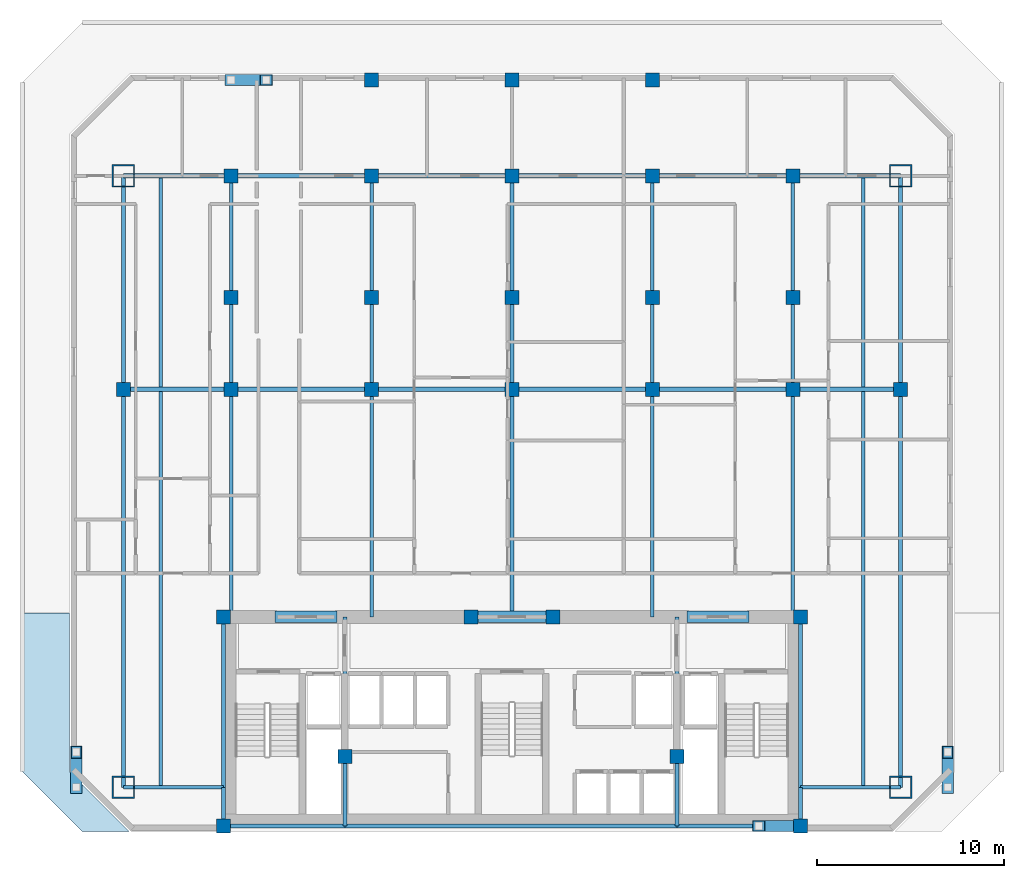
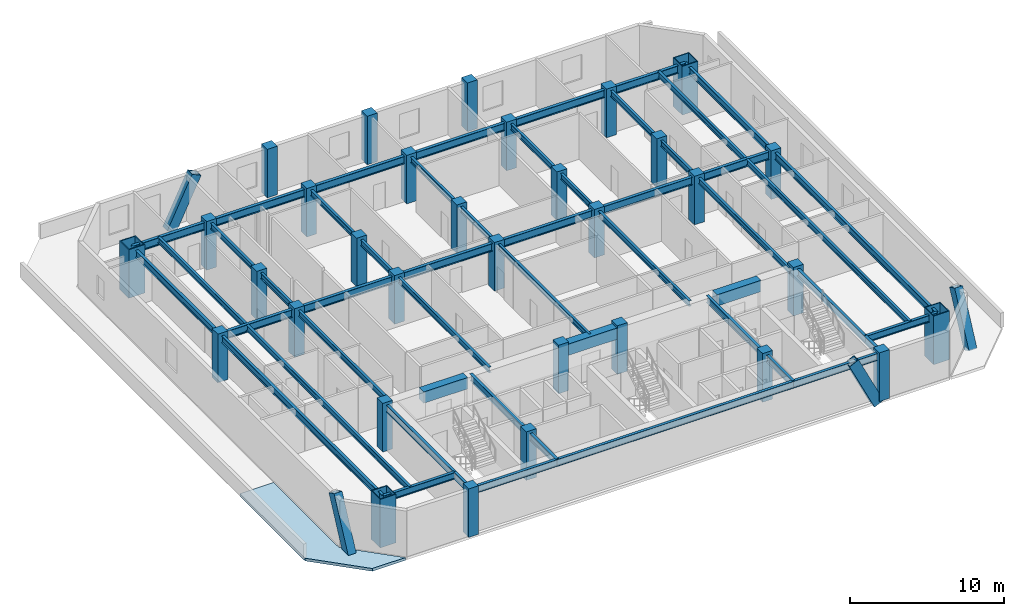
# One storey, part 1 of 8: 46 beams, 32 columns, 4 members, 1 slab.
"""IFC4 building model written with IfcOpenShell, lengths in metres."""

from ifc_helpers import new_model, si_unit, direction, frame, origin, origin_2d, place, context, subcontext, project, spatial, polyline, rectangle, hollow_rectangle, i_section, outline, extrude, material, layer, layer_set, material_profile, profile_set, type_object, element, save


model = new_model("IFC4")

# Units and contexts
model_context = context("Model", 3, precision=1e-05, world=origin(), true_north=direction((0.0, 1.0)))
body_context = subcontext(model_context, "Body", "Model", "MODEL_VIEW")
ifc_project = project(units=[si_unit("LENGTHUNIT", "METRE"), si_unit("AREAUNIT", "SQUARE_METRE"), si_unit("VOLUMEUNIT", "CUBIC_METRE"), si_unit("PLANEANGLEUNIT", "RADIAN"), si_unit("MASSUNIT", "GRAM", prefix="KILO")], contexts=[model_context])

# Site, building, storey
site_placement = place(None, origin())
site = spatial("IfcSite", under=ifc_project, at=site_placement, CompositionType="ELEMENT")
building_placement = place(site_placement, origin())
building = spatial("IfcBuilding", under=site, at=building_placement, Name="Ventersveld Concourse Tower", CompositionType="ELEMENT")
storey_placement = place(building_placement, frame((0.0, 0.0, 156.75)))
storey = spatial("IfcBuildingStorey", under=building, at=storey_placement, Name="L38", CompositionType="ELEMENT", Elevation=156.75)

# Columns
ifc_material_1 = material(Name="Concrete C50/60", Category="concrete")
ifc_material_profile_1 = material_profile(ifc_material_1, rectangle(XDim=0.75, YDim=0.75, at=origin_2d()), Name="RC 750x750")
ifc_profile_set_1 = profile_set([ifc_material_profile_1], Name="Concrete C50/60")
column_type_1 = type_object("IfcColumnType", Name="COL-RC750", PredefinedType="COLUMN", material=ifc_profile_set_1)
for number, where, z_axis, x_axis, name in (
    (1, (13.35009765625, 0.280029296875, 0.0), (0.0, 0.0, 1.0), (1.0, 0.0, 0.0), "L38 Core Spine Column CC-SW"),
    (2, (44.14990234375, 0.280029296875, 0.0), (0.0, 0.0, 1.0), (1.0, 0.0, 0.0), "L38 Core Spine Column CC-SE"),
    (3, (13.35009765625, 11.449951171875, 0.0), (0.0, 0.0, 1.0), (1.0, 0.0, 0.0), "L38 Core Spine Column CC-NW"),
    (4, (44.14990234375, 11.449951171875, 0.0), (0.0, 0.0, 1.0), (1.0, 0.0, 0.0), "L38 Core Spine Column CC-NE"),
    (5, (19.820068359375, 4.0, 0.0), (0.0, 0.0, 1.0), (1.0, 0.0, 0.0), "L38 Core Spine Column CM-1"),
    (6, (37.550048828125, 4.0, 0.0), (0.0, 0.0, 1.0), (1.0, 0.0, 0.0), "L38 Core Spine Column CM-2"),
    (7, (26.550048828125, 11.449951171875, 0.0), (0.0, 0.0, 1.0), (1.0, 0.0, 0.0), "L38 Core Spine Column CM-3"),
    (8, (30.949951171875, 11.449951171875, 0.0), (0.0, 0.0, 1.0), (1.0, 0.0, 0.0), "L38 Core Spine Column CM-4"),
    (9, (8.0, 23.60009765625, 0.0), (0.0, 0.0, 1.0), (1.0, 0.0, 0.0), "L38 Interior Gravity Column X=8.00 Y=23.60"),
    (10, (13.75, 23.60009765625, 0.0), (0.0, 0.0, 1.0), (1.0, 0.0, 0.0), "L38 Interior Gravity Column X=13.75 Y=23.60"),
    (11, (21.25, 23.60009765625, 0.0), (0.0, 0.0, 1.0), (1.0, 0.0, 0.0), "L38 Interior Gravity Column X=21.25 Y=23.60"),
    (12, (28.75, 23.60009765625, 0.0), (0.0, 0.0, 1.0), (1.0, 0.0, 0.0), "L38 Interior Gravity Column X=28.75 Y=23.60"),
    (13, (36.25, 23.60009765625, 0.0), (0.0, 0.0, 1.0), (1.0, 0.0, 0.0), "L38 Interior Gravity Column X=36.25 Y=23.60"),
    (14, (43.75, 23.60009765625, 0.0), (0.0, 0.0, 1.0), (1.0, 0.0, 0.0), "L38 Interior Gravity Column X=43.75 Y=23.60"),
    (15, (49.5, 23.60009765625, 0.0), (0.0, 0.0, 1.0), (1.0, 0.0, 0.0), "L38 Interior Gravity Column X=49.50 Y=23.60"),
    (16, (13.75, 28.5, 0.0), (0.0, 0.0, 1.0), (1.0, 0.0, 0.0), "L38 Upper-North Gravity Column X=13.75 Y=28.50"),
    (17, (21.25, 28.5, 0.0), (0.0, 0.0, 1.0), (1.0, 0.0, 0.0), "L38 Upper-North Gravity Column X=21.25 Y=28.50"),
    (18, (28.75, 28.5, 0.0), (0.0, 0.0, 1.0), (1.0, 0.0, 0.0), "L38 Upper-North Gravity Column X=28.75 Y=28.50"),
    (19, (36.25, 28.5, 0.0), (0.0, 0.0, 1.0), (1.0, 0.0, 0.0), "L38 Upper-North Gravity Column X=36.25 Y=28.50"),
    (20, (43.75, 28.5, 0.0), (0.0, 0.0, 1.0), (1.0, 0.0, 0.0), "L38 Upper-North Gravity Column X=43.75 Y=28.50"),
    (21, (21.25, 40.1201171875, 0.0), (0.0, 0.0, 1.0), (1.0, 0.0, 0.0), "L38 North Brace Node Column X=21.25 Y=40.12"),
    (22, (28.75, 40.1201171875, 0.0), (0.0, 0.0, 1.0), (1.0, 0.0, 0.0), "L38 North Brace Node Column X=28.75 Y=40.12"),
    (23, (36.25, 40.1201171875, 0.0), (0.0, 0.0, 1.0), (1.0, 0.0, 0.0), "L38 North Brace Node Column X=36.25 Y=40.12"),
    (24, (13.75, 35.0, 0.0), (0.0, 0.0, 1.0), (1.0, 0.0, 0.0), "L38 Mid-North Column X=13.75 Y=35.00"),
    (25, (21.25, 35.0, 0.0), (0.0, 0.0, 1.0), (1.0, 0.0, 0.0), "L38 Mid-North Column X=21.25 Y=35.00"),
    (26, (28.75, 35.0, 0.0), (0.0, 0.0, 1.0), (1.0, 0.0, 0.0), "L38 Mid-North Column X=28.75 Y=35.00"),
    (27, (36.25, 35.0, 0.0), (0.0, 0.0, 1.0), (1.0, 0.0, 0.0), "L38 Mid-North Column X=36.25 Y=35.00"),
    (28, (43.75, 35.0, 0.0), (0.0, 0.0, 1.0), (1.0, 0.0, 0.0), "L38 Mid-North Column X=43.75 Y=35.00"),
):
    element("IfcColumn", number, at=place(storey_placement, frame(where, z_axis=z_axis, x_axis=x_axis)), inside=storey, type_object=column_type_1, Name=name, PredefinedType="COLUMN", context=body_context, shape_type="SweptSolid", body=[
        extrude(rectangle(XDim=0.75, YDim=0.75, at=origin_2d()), origin(), (0.0, 0.0, 1.0), 3.85009765625),
    ])
ifc_material_2 = material(Name="Structural steel S460ML", Category="steel")
ifc_material_profile_2 = material_profile(ifc_material_2, hollow_rectangle(XDim=1.199951171875, YDim=1.199951171875, WallThickness=0.070068359375, at=origin_2d()), Name="BOX 1200x1200x70")
ifc_profile_set_2 = profile_set([ifc_material_profile_2], Name="Structural steel S460ML")
column_type_2 = type_object("IfcColumnType", Name="MC-1200", PredefinedType="USERDEFINED", material=ifc_profile_set_2)
for number, where, z_axis, x_axis, name in (
    (29, (8.0, 2.35009765625, 0.0), (0.0, 0.0, 1.0), (1.0, 0.0, 0.0), "L38 Corner Mega-Column MC-SW"),
    (30, (49.5, 2.35009765625, 0.0), (0.0, 0.0, 1.0), (1.0, 0.0, 0.0), "L38 Corner Mega-Column MC-SE"),
    (31, (49.5, 35.0, 0.0), (0.0, 0.0, 1.0), (1.0, 0.0, 0.0), "L38 Corner Mega-Column MC-NE"),
    (32, (8.0, 35.0, 0.0), (0.0, 0.0, 1.0), (1.0, 0.0, 0.0), "L38 Corner Mega-Column MC-NW"),
):
    element("IfcColumn", number, at=place(storey_placement, frame(where, z_axis=z_axis, x_axis=x_axis)), inside=storey, type_object=column_type_2, Name=name, ObjectType="MEGA_COLUMN", PredefinedType="USERDEFINED", context=body_context, shape_type="SweptSolid", body=[
        extrude(hollow_rectangle(XDim=1.199951171875, YDim=1.199951171875, WallThickness=0.070068359375, at=origin_2d()), origin(), (0.0, 0.0, 1.0), 3.85009765625),
    ])

# Beams
ifc_material_3 = material(Name="Structural steel S355J2", Category="steel")
ifc_material_profile_3 = material_profile(ifc_material_3, i_section(OverallWidth=0.18994140625, OverallDepth=0.453369140625, WebThickness=0.008544921875, FlangeThickness=0.0126953125, FilletRadius=0.01025390625, at=origin_2d()), Name="UB 457x191x67")
ifc_profile_set_3 = profile_set([ifc_material_profile_3], Name="Structural steel S355J2")
beam_type_1 = type_object("IfcBeamType", Name="BM-UB457", PredefinedType="BEAM", material=ifc_profile_set_3)
beam_1_placement = place(storey_placement, frame((10.0, 2.35009765625, 3.4033203125), z_axis=(0.0, 1.0, 0.0), x_axis=(-1.0, 0.0, 0.0)))
element("IfcBeam", 33, at=beam_1_placement, inside=storey, type_object=beam_type_1, Name="L38 N-S Composite Floor Beam South X=10.00", PredefinedType="BEAM", context=body_context, shape_type="SweptSolid", body=[
    extrude(i_section(OverallWidth=0.18994140625, OverallDepth=0.453369140625, WebThickness=0.008544921875, FlangeThickness=0.0126953125, FilletRadius=0.01025390625, at=origin_2d()), origin(), (0.0, 0.0, 1.0), 21.15478515625),
])
beam_2_placement = place(storey_placement, frame((10.0, 23.695068359375, 3.4033203125), z_axis=(0.0, 1.0, 0.0), x_axis=(-1.0, 0.0, 0.0)))
element("IfcBeam", 34, at=beam_2_placement, inside=storey, type_object=beam_type_1, Name="L38 N-S Composite Floor Beam Mid X=10.00", PredefinedType="BEAM", context=body_context, shape_type="SweptSolid", body=[
    extrude(i_section(OverallWidth=0.18994140625, OverallDepth=0.453369140625, WebThickness=0.008544921875, FlangeThickness=0.0126953125, FilletRadius=0.01025390625, at=origin_2d()), origin(), (0.0, 0.0, 1.0), 11.304931640625),
])
beam_3_placement = place(storey_placement, frame((13.75, 11.449951171875, 3.4033203125), z_axis=(0.0, 1.0, 0.0), x_axis=(-1.0, 0.0, 0.0)))
element("IfcBeam", 35, at=beam_3_placement, inside=storey, type_object=beam_type_1, Name="L38 N-S Composite Floor Beam South X=13.75", PredefinedType="BEAM", context=body_context, shape_type="SweptSolid", body=[
    extrude(i_section(OverallWidth=0.18994140625, OverallDepth=0.453369140625, WebThickness=0.008544921875, FlangeThickness=0.0126953125, FilletRadius=0.01025390625, at=origin_2d()), origin(), (0.0, 0.0, 1.0), 12.150146484375),
])
beam_4_placement = place(storey_placement, frame((13.75, 23.60009765625, 3.4033203125), z_axis=(0.0, 1.0, 0.0), x_axis=(-1.0, 0.0, 0.0)))
element("IfcBeam", 36, at=beam_4_placement, inside=storey, type_object=beam_type_1, Name="L38 N-S Composite Floor Beam Mid X=13.75", PredefinedType="BEAM", context=body_context, shape_type="SweptSolid", body=[
    extrude(i_section(OverallWidth=0.18994140625, OverallDepth=0.453369140625, WebThickness=0.008544921875, FlangeThickness=0.0126953125, FilletRadius=0.01025390625, at=origin_2d()), origin(), (0.0, 0.0, 1.0), 11.39990234375),
])
beam_5_placement = place(storey_placement, frame((21.25, 11.449951171875, 3.4033203125), z_axis=(0.0, 1.0, 0.0), x_axis=(-1.0, 0.0, 0.0)))
element("IfcBeam", 37, at=beam_5_placement, inside=storey, type_object=beam_type_1, Name="L38 N-S Composite Floor Beam South X=21.25", PredefinedType="BEAM", context=body_context, shape_type="SweptSolid", body=[
    extrude(i_section(OverallWidth=0.18994140625, OverallDepth=0.453369140625, WebThickness=0.008544921875, FlangeThickness=0.0126953125, FilletRadius=0.01025390625, at=origin_2d()), origin(), (0.0, 0.0, 1.0), 12.150146484375),
])
beam_6_placement = place(storey_placement, frame((21.25, 23.60009765625, 3.4033203125), z_axis=(0.0, 1.0, 0.0), x_axis=(-1.0, 0.0, 0.0)))
element("IfcBeam", 38, at=beam_6_placement, inside=storey, type_object=beam_type_1, Name="L38 N-S Composite Floor Beam Mid X=21.25", PredefinedType="BEAM", context=body_context, shape_type="SweptSolid", body=[
    extrude(i_section(OverallWidth=0.18994140625, OverallDepth=0.453369140625, WebThickness=0.008544921875, FlangeThickness=0.0126953125, FilletRadius=0.01025390625, at=origin_2d()), origin(), (0.0, 0.0, 1.0), 11.39990234375),
])
beam_7_placement = place(storey_placement, frame((28.75, 11.449951171875, 3.4033203125), z_axis=(0.0, 1.0, 0.0), x_axis=(-1.0, 0.0, 0.0)))
element("IfcBeam", 39, at=beam_7_placement, inside=storey, type_object=beam_type_1, Name="L38 N-S Composite Floor Beam South X=28.75", PredefinedType="BEAM", context=body_context, shape_type="SweptSolid", body=[
    extrude(i_section(OverallWidth=0.18994140625, OverallDepth=0.453369140625, WebThickness=0.008544921875, FlangeThickness=0.0126953125, FilletRadius=0.01025390625, at=origin_2d()), origin(), (0.0, 0.0, 1.0), 12.150146484375),
])
beam_8_placement = place(storey_placement, frame((28.75, 23.60009765625, 3.4033203125), z_axis=(0.0, 1.0, 0.0), x_axis=(-1.0, 0.0, 0.0)))
element("IfcBeam", 40, at=beam_8_placement, inside=storey, type_object=beam_type_1, Name="L38 N-S Composite Floor Beam Mid X=28.75", PredefinedType="BEAM", context=body_context, shape_type="SweptSolid", body=[
    extrude(i_section(OverallWidth=0.18994140625, OverallDepth=0.453369140625, WebThickness=0.008544921875, FlangeThickness=0.0126953125, FilletRadius=0.01025390625, at=origin_2d()), origin(), (0.0, 0.0, 1.0), 11.39990234375),
])
beam_9_placement = place(storey_placement, frame((36.25, 11.449951171875, 3.4033203125), z_axis=(0.0, 1.0, 0.0), x_axis=(-1.0, 0.0, 0.0)))
element("IfcBeam", 41, at=beam_9_placement, inside=storey, type_object=beam_type_1, Name="L38 N-S Composite Floor Beam South X=36.25", PredefinedType="BEAM", context=body_context, shape_type="SweptSolid", body=[
    extrude(i_section(OverallWidth=0.18994140625, OverallDepth=0.453369140625, WebThickness=0.008544921875, FlangeThickness=0.0126953125, FilletRadius=0.01025390625, at=origin_2d()), origin(), (0.0, 0.0, 1.0), 12.150146484375),
])
beam_10_placement = place(storey_placement, frame((36.25, 23.60009765625, 3.4033203125), z_axis=(0.0, 1.0, 0.0), x_axis=(-1.0, 0.0, 0.0)))
element("IfcBeam", 42, at=beam_10_placement, inside=storey, type_object=beam_type_1, Name="L38 N-S Composite Floor Beam Mid X=36.25", PredefinedType="BEAM", context=body_context, shape_type="SweptSolid", body=[
    extrude(i_section(OverallWidth=0.18994140625, OverallDepth=0.453369140625, WebThickness=0.008544921875, FlangeThickness=0.0126953125, FilletRadius=0.01025390625, at=origin_2d()), origin(), (0.0, 0.0, 1.0), 11.39990234375),
])
beam_11_placement = place(storey_placement, frame((43.75, 11.449951171875, 3.4033203125), z_axis=(0.0, 1.0, 0.0), x_axis=(-1.0, 0.0, 0.0)))
element("IfcBeam", 43, at=beam_11_placement, inside=storey, type_object=beam_type_1, Name="L38 N-S Composite Floor Beam South X=43.75", PredefinedType="BEAM", context=body_context, shape_type="SweptSolid", body=[
    extrude(i_section(OverallWidth=0.18994140625, OverallDepth=0.453369140625, WebThickness=0.008544921875, FlangeThickness=0.0126953125, FilletRadius=0.01025390625, at=origin_2d()), origin(), (0.0, 0.0, 1.0), 12.150146484375),
])
beam_12_placement = place(storey_placement, frame((43.75, 23.60009765625, 3.4033203125), z_axis=(0.0, 1.0, 0.0), x_axis=(-1.0, 0.0, 0.0)))
element("IfcBeam", 44, at=beam_12_placement, inside=storey, type_object=beam_type_1, Name="L38 N-S Composite Floor Beam Mid X=43.75", PredefinedType="BEAM", context=body_context, shape_type="SweptSolid", body=[
    extrude(i_section(OverallWidth=0.18994140625, OverallDepth=0.453369140625, WebThickness=0.008544921875, FlangeThickness=0.0126953125, FilletRadius=0.01025390625, at=origin_2d()), origin(), (0.0, 0.0, 1.0), 11.39990234375),
])
beam_13_placement = place(storey_placement, frame((47.5, 2.35009765625, 3.4033203125), z_axis=(0.0, 1.0, 0.0), x_axis=(-1.0, 0.0, 0.0)))
element("IfcBeam", 45, at=beam_13_placement, inside=storey, type_object=beam_type_1, Name="L38 N-S Composite Floor Beam South X=47.50", PredefinedType="BEAM", context=body_context, shape_type="SweptSolid", body=[
    extrude(i_section(OverallWidth=0.18994140625, OverallDepth=0.453369140625, WebThickness=0.008544921875, FlangeThickness=0.0126953125, FilletRadius=0.01025390625, at=origin_2d()), origin(), (0.0, 0.0, 1.0), 21.15478515625),
])
beam_14_placement = place(storey_placement, frame((47.5, 23.695068359375, 3.4033203125), z_axis=(0.0, 1.0, 0.0), x_axis=(-1.0, 0.0, 0.0)))
element("IfcBeam", 46, at=beam_14_placement, inside=storey, type_object=beam_type_1, Name="L38 N-S Composite Floor Beam Mid X=47.50", PredefinedType="BEAM", context=body_context, shape_type="SweptSolid", body=[
    extrude(i_section(OverallWidth=0.18994140625, OverallDepth=0.453369140625, WebThickness=0.008544921875, FlangeThickness=0.0126953125, FilletRadius=0.01025390625, at=origin_2d()), origin(), (0.0, 0.0, 1.0), 11.304931640625),
])
ifc_material_4 = material(Name="Concrete C60/75", Category="concrete")
ifc_material_profile_4 = material_profile(ifc_material_4, rectangle(XDim=0.60009765625, YDim=0.89990234375, at=origin_2d()), Name="RC 600x900")
ifc_profile_set_4 = profile_set([ifc_material_profile_4], Name="Concrete C60/75")
beam_type_2 = type_object("IfcBeamType", Name="CB-RC600x900L", PredefinedType="LINTEL", material=ifc_profile_set_4)
beam_15_placement = place(storey_placement, frame((16.10009765625, 11.449951171875, 3.179931640625), z_axis=(1.0, 0.0, 0.0), x_axis=(0.0, 1.0, 0.0)))
element("IfcBeam", 47, at=beam_15_placement, inside=storey, type_object=beam_type_2, Name="L38 Core Coupling Lintel Beam 1", PredefinedType="LINTEL", context=body_context, shape_type="SweptSolid", body=[
    extrude(rectangle(XDim=0.60009765625, YDim=0.89990234375, at=origin_2d()), origin(), (0.0, 0.0, 1.0), 3.2998046875),
])
beam_16_placement = place(storey_placement, frame((26.5, 11.449951171875, 3.179931640625), z_axis=(1.0, 0.0, 0.0), x_axis=(0.0, 1.0, 0.0)))
element("IfcBeam", 48, at=beam_16_placement, inside=storey, type_object=beam_type_2, Name="L38 Core Coupling Lintel Beam 2", PredefinedType="LINTEL", context=body_context, shape_type="SweptSolid", body=[
    extrude(rectangle(XDim=0.60009765625, YDim=0.89990234375, at=origin_2d()), origin(), (0.0, 0.0, 1.0), 4.5),
])
beam_17_placement = place(storey_placement, frame((38.10009765625, 11.449951171875, 3.179931640625), z_axis=(1.0, 0.0, 0.0), x_axis=(0.0, 1.0, 0.0)))
element("IfcBeam", 49, at=beam_17_placement, inside=storey, type_object=beam_type_2, Name="L38 Core Coupling Lintel Beam 3", PredefinedType="LINTEL", context=body_context, shape_type="SweptSolid", body=[
    extrude(rectangle(XDim=0.60009765625, YDim=0.89990234375, at=origin_2d()), origin(), (0.0, 0.0, 1.0), 3.2998046875),
])
ifc_material_profile_5 = material_profile(ifc_material_3, i_section(OverallWidth=0.2119140625, OverallDepth=0.54443359375, WebThickness=0.0126953125, FlangeThickness=0.021240234375, FilletRadius=0.0126953125, at=origin_2d()), Name="UB 533x210x122")
ifc_profile_set_5 = profile_set([ifc_material_profile_5], Name="Structural steel S355J2")
beam_type_3 = type_object("IfcBeamType", Name="GRD-UB533H", PredefinedType="T_BEAM", material=ifc_profile_set_5)
beam_18_placement = place(storey_placement, frame((13.35009765625, 0.280029296875, 3.357666015625), z_axis=(0.0, 1.0, 0.0), x_axis=(-1.0, 0.0, 0.0)))
element("IfcBeam", 50, at=beam_18_placement, inside=storey, type_object=beam_type_3, Name="L38 Core West Tie Beam S", PredefinedType="T_BEAM", context=body_context, shape_type="SweptSolid", body=[
    extrude(i_section(OverallWidth=0.2119140625, OverallDepth=0.54443359375, WebThickness=0.0126953125, FlangeThickness=0.021240234375, FilletRadius=0.0126953125, at=origin_2d()), origin(), (0.0, 0.0, 1.0), 2.070068359375),
])
beam_19_placement = place(storey_placement, frame((13.35009765625, 2.35009765625, 3.357666015625), z_axis=(0.0, 1.0, 0.0), x_axis=(-1.0, 0.0, 0.0)))
element("IfcBeam", 51, at=beam_19_placement, inside=storey, type_object=beam_type_3, Name="L38 Core West Tie Beam N", PredefinedType="T_BEAM", context=body_context, shape_type="SweptSolid", body=[
    extrude(i_section(OverallWidth=0.2119140625, OverallDepth=0.54443359375, WebThickness=0.0126953125, FlangeThickness=0.021240234375, FilletRadius=0.0126953125, at=origin_2d()), origin(), (0.0, 0.0, 1.0), 9.099853515625),
])
beam_20_placement = place(storey_placement, frame((44.14990234375, 0.280029296875, 3.357666015625), z_axis=(0.0, 1.0, 0.0), x_axis=(-1.0, 0.0, 0.0)))
element("IfcBeam", 52, at=beam_20_placement, inside=storey, type_object=beam_type_3, Name="L38 Core East Tie Beam S", PredefinedType="T_BEAM", context=body_context, shape_type="SweptSolid", body=[
    extrude(i_section(OverallWidth=0.2119140625, OverallDepth=0.54443359375, WebThickness=0.0126953125, FlangeThickness=0.021240234375, FilletRadius=0.0126953125, at=origin_2d()), origin(), (0.0, 0.0, 1.0), 2.070068359375),
])
beam_21_placement = place(storey_placement, frame((44.14990234375, 2.35009765625, 3.357666015625), z_axis=(0.0, 1.0, 0.0), x_axis=(-1.0, 0.0, 0.0)))
element("IfcBeam", 53, at=beam_21_placement, inside=storey, type_object=beam_type_3, Name="L38 Core East Tie Beam N", PredefinedType="T_BEAM", context=body_context, shape_type="SweptSolid", body=[
    extrude(i_section(OverallWidth=0.2119140625, OverallDepth=0.54443359375, WebThickness=0.0126953125, FlangeThickness=0.021240234375, FilletRadius=0.0126953125, at=origin_2d()), origin(), (0.0, 0.0, 1.0), 9.099853515625),
])
beam_22_placement = place(storey_placement, frame((13.35009765625, 0.280029296875, 3.357666015625), z_axis=(1.0, 0.0, 0.0), x_axis=(0.0, 1.0, 0.0)))
element("IfcBeam", 54, at=beam_22_placement, inside=storey, type_object=beam_type_3, Name="L38 Core South Tie Beam W", PredefinedType="T_BEAM", context=body_context, shape_type="SweptSolid", body=[
    extrude(i_section(OverallWidth=0.2119140625, OverallDepth=0.54443359375, WebThickness=0.0126953125, FlangeThickness=0.021240234375, FilletRadius=0.0126953125, at=origin_2d()), origin(), (0.0, 0.0, 1.0), 6.469970703125),
])
beam_23_placement = place(storey_placement, frame((19.820068359375, 0.280029296875, 3.357666015625), z_axis=(1.0, 0.0, 0.0), x_axis=(0.0, 1.0, 0.0)))
element("IfcBeam", 55, at=beam_23_placement, inside=storey, type_object=beam_type_3, Name="L38 Core South Tie Beam C", PredefinedType="T_BEAM", context=body_context, shape_type="SweptSolid", body=[
    extrude(i_section(OverallWidth=0.2119140625, OverallDepth=0.54443359375, WebThickness=0.0126953125, FlangeThickness=0.021240234375, FilletRadius=0.0126953125, at=origin_2d()), origin(), (0.0, 0.0, 1.0), 17.72998046875),
])
beam_24_placement = place(storey_placement, frame((37.550048828125, 0.280029296875, 3.357666015625), z_axis=(1.0, 0.0, 0.0), x_axis=(0.0, 1.0, 0.0)))
element("IfcBeam", 56, at=beam_24_placement, inside=storey, type_object=beam_type_3, Name="L38 Core South Tie Beam E", PredefinedType="T_BEAM", context=body_context, shape_type="SweptSolid", body=[
    extrude(i_section(OverallWidth=0.2119140625, OverallDepth=0.54443359375, WebThickness=0.0126953125, FlangeThickness=0.021240234375, FilletRadius=0.0126953125, at=origin_2d()), origin(), (0.0, 0.0, 1.0), 6.599853515625),
])
beam_25_placement = place(storey_placement, frame((19.820068359375, 0.280029296875, 3.357666015625), z_axis=(0.0, 1.0, 0.0), x_axis=(-1.0, 0.0, 0.0)))
element("IfcBeam", 57, at=beam_25_placement, inside=storey, type_object=beam_type_3, Name="L38 Core Spine N-S Tie Beam W1", PredefinedType="T_BEAM", context=body_context, shape_type="SweptSolid", body=[
    extrude(i_section(OverallWidth=0.2119140625, OverallDepth=0.54443359375, WebThickness=0.0126953125, FlangeThickness=0.021240234375, FilletRadius=0.0126953125, at=origin_2d()), origin(), (0.0, 0.0, 1.0), 3.719970703125),
])
beam_26_placement = place(storey_placement, frame((19.820068359375, 4.0, 3.357666015625), z_axis=(0.0, 1.0, 0.0), x_axis=(-1.0, 0.0, 0.0)))
element("IfcBeam", 58, at=beam_26_placement, inside=storey, type_object=beam_type_3, Name="L38 Core Spine N-S Tie Beam W2", PredefinedType="T_BEAM", context=body_context, shape_type="SweptSolid", body=[
    extrude(i_section(OverallWidth=0.2119140625, OverallDepth=0.54443359375, WebThickness=0.0126953125, FlangeThickness=0.021240234375, FilletRadius=0.0126953125, at=origin_2d()), origin(), (0.0, 0.0, 1.0), 7.449951171875),
])
beam_27_placement = place(storey_placement, frame((37.550048828125, 0.280029296875, 3.357666015625), z_axis=(0.0, 1.0, 0.0), x_axis=(-1.0, 0.0, 0.0)))
element("IfcBeam", 59, at=beam_27_placement, inside=storey, type_object=beam_type_3, Name="L38 Core Spine N-S Tie Beam E1", PredefinedType="T_BEAM", context=body_context, shape_type="SweptSolid", body=[
    extrude(i_section(OverallWidth=0.2119140625, OverallDepth=0.54443359375, WebThickness=0.0126953125, FlangeThickness=0.021240234375, FilletRadius=0.0126953125, at=origin_2d()), origin(), (0.0, 0.0, 1.0), 3.719970703125),
])
beam_28_placement = place(storey_placement, frame((37.550048828125, 4.0, 3.357666015625), z_axis=(0.0, 1.0, 0.0), x_axis=(-1.0, 0.0, 0.0)))
element("IfcBeam", 60, at=beam_28_placement, inside=storey, type_object=beam_type_3, Name="L38 Core Spine N-S Tie Beam E2", PredefinedType="T_BEAM", context=body_context, shape_type="SweptSolid", body=[
    extrude(i_section(OverallWidth=0.2119140625, OverallDepth=0.54443359375, WebThickness=0.0126953125, FlangeThickness=0.021240234375, FilletRadius=0.0126953125, at=origin_2d()), origin(), (0.0, 0.0, 1.0), 7.449951171875),
])
ifc_material_profile_6 = material_profile(ifc_material_3, i_section(OverallWidth=0.230224609375, OverallDepth=0.6171875, WebThickness=0.01318359375, FlangeThickness=0.022216796875, FilletRadius=0.0126953125, at=origin_2d()), Name="UB 610x229x140")
ifc_profile_set_6 = profile_set([ifc_material_profile_6], Name="Structural steel S355J2")
beam_type_4 = type_object("IfcBeamType", Name="GRD-UB610", PredefinedType="USERDEFINED", material=ifc_profile_set_6)
beam_29_placement = place(storey_placement, frame((8.0, 23.60009765625, 3.3212890625), z_axis=(1.0, 0.0, 0.0), x_axis=(0.0, 1.0, 0.0)))
element("IfcBeam", 61, at=beam_29_placement, inside=storey, type_object=beam_type_4, Name="L38 Primary E-W Grid Girder Y=23.60 #1", ObjectType="GIRDER", PredefinedType="USERDEFINED", context=body_context, shape_type="SweptSolid", body=[
    extrude(i_section(OverallWidth=0.230224609375, OverallDepth=0.6171875, WebThickness=0.01318359375, FlangeThickness=0.022216796875, FilletRadius=0.0126953125, at=origin_2d()), origin(), (0.0, 0.0, 1.0), 5.75),
])
for number, where, z_axis, x_axis, name in (
    (62, (13.75, 23.60009765625, 3.3212890625), (1.0, 0.0, 0.0), (0.0, 1.0, 0.0), "L38 Primary E-W Grid Girder Y=23.60 #2"),
    (63, (21.25, 23.60009765625, 3.3212890625), (1.0, 0.0, 0.0), (0.0, 1.0, 0.0), "L38 Primary E-W Grid Girder Y=23.60 #3"),
    (64, (28.75, 23.60009765625, 3.3212890625), (1.0, 0.0, 0.0), (0.0, 1.0, 0.0), "L38 Primary E-W Grid Girder Y=23.60 #4"),
    (65, (36.25, 23.60009765625, 3.3212890625), (1.0, 0.0, 0.0), (0.0, 1.0, 0.0), "L38 Primary E-W Grid Girder Y=23.60 #5"),
):
    element("IfcBeam", number, at=place(storey_placement, frame(where, z_axis=z_axis, x_axis=x_axis)), inside=storey, type_object=beam_type_4, Name=name, ObjectType="GIRDER", PredefinedType="USERDEFINED", context=body_context, shape_type="SweptSolid", body=[
        extrude(i_section(OverallWidth=0.230224609375, OverallDepth=0.6171875, WebThickness=0.01318359375, FlangeThickness=0.022216796875, FilletRadius=0.0126953125, at=origin_2d()), origin(), (0.0, 0.0, 1.0), 7.5),
    ])
for number, where, z_axis, x_axis, name in (
    (66, (43.75, 23.60009765625, 3.3212890625), (1.0, 0.0, 0.0), (0.0, 1.0, 0.0), "L38 Primary E-W Grid Girder Y=23.60 #6"),
    (67, (8.0, 35.0, 3.3212890625), (1.0, 0.0, 0.0), (0.0, 1.0, 0.0), "L38 E-W Grid Girder Y=35.00 #1"),
):
    element("IfcBeam", number, at=place(storey_placement, frame(where, z_axis=z_axis, x_axis=x_axis)), inside=storey, type_object=beam_type_4, Name=name, ObjectType="GIRDER", PredefinedType="USERDEFINED", context=body_context, shape_type="SweptSolid", body=[
        extrude(i_section(OverallWidth=0.230224609375, OverallDepth=0.6171875, WebThickness=0.01318359375, FlangeThickness=0.022216796875, FilletRadius=0.0126953125, at=origin_2d()), origin(), (0.0, 0.0, 1.0), 5.75),
    ])
for number, where, z_axis, x_axis, name in (
    (68, (13.75, 35.0, 3.3212890625), (1.0, 0.0, 0.0), (0.0, 1.0, 0.0), "L38 E-W Grid Girder Y=35.00 #2"),
    (69, (21.25, 35.0, 3.3212890625), (1.0, 0.0, 0.0), (0.0, 1.0, 0.0), "L38 E-W Grid Girder Y=35.00 #3"),
    (70, (28.75, 35.0, 3.3212890625), (1.0, 0.0, 0.0), (0.0, 1.0, 0.0), "L38 E-W Grid Girder Y=35.00 #4"),
    (71, (36.25, 35.0, 3.3212890625), (1.0, 0.0, 0.0), (0.0, 1.0, 0.0), "L38 E-W Grid Girder Y=35.00 #5"),
):
    element("IfcBeam", number, at=place(storey_placement, frame(where, z_axis=z_axis, x_axis=x_axis)), inside=storey, type_object=beam_type_4, Name=name, ObjectType="GIRDER", PredefinedType="USERDEFINED", context=body_context, shape_type="SweptSolid", body=[
        extrude(i_section(OverallWidth=0.230224609375, OverallDepth=0.6171875, WebThickness=0.01318359375, FlangeThickness=0.022216796875, FilletRadius=0.0126953125, at=origin_2d()), origin(), (0.0, 0.0, 1.0), 7.5),
    ])
beam_30_placement = place(storey_placement, frame((43.75, 35.0, 3.3212890625), z_axis=(1.0, 0.0, 0.0), x_axis=(0.0, 1.0, 0.0)))
element("IfcBeam", 72, at=beam_30_placement, inside=storey, type_object=beam_type_4, Name="L38 E-W Grid Girder Y=35.00 #6", ObjectType="GIRDER", PredefinedType="USERDEFINED", context=body_context, shape_type="SweptSolid", body=[
    extrude(i_section(OverallWidth=0.230224609375, OverallDepth=0.6171875, WebThickness=0.01318359375, FlangeThickness=0.022216796875, FilletRadius=0.0126953125, at=origin_2d()), origin(), (0.0, 0.0, 1.0), 5.75),
])

# Members
ifc_material_5 = material(Name="Structural steel S355ML", Category="steel")
ifc_material_profile_7 = material_profile(ifc_material_5, hollow_rectangle(XDim=0.60009765625, YDim=0.75, WallThickness=0.0400390625, at=origin_2d()), Name="BOX 750x600x40")
ifc_profile_set_7 = profile_set([ifc_material_profile_7], Name="Structural steel S355ML")
member_type = type_object("IfcMemberType", Name="MB-750x600", PredefinedType="BRACE", material=ifc_profile_set_7)
for number, where, z_axis, x_axis, name in (
    (73, (13.75, 40.1201171875, -0.219970703125), (0.437861906815, 0.0, 0.899042240699), (0.0, 1.0, 0.0), "L38 Exterior Mega-Brace N (Module M09)"),
    (74, (43.800048828125, 0.280029296875, -0.219970703125), (-0.437861906815, 0.0, 0.899042240699), (0.0, -1.0, 0.0), "L38 Exterior Mega-Brace S (Module M09)"),
    (75, (5.47998046875, 2.35009765625, -0.219970703125), (0.0, 0.437861906815, 0.899042240699), (-1.0, 0.0, 0.0), "L38 Exterior Mega-Brace W (Module M09)"),
    (76, (52.02001953125, 2.35009765625, -0.219970703125), (0.0, 0.437861906815, 0.899042240699), (-1.0, 0.0, 0.0), "L38 Exterior Mega-Brace E (Module M09)"),
):
    element("IfcMember", number, at=place(storey_placement, frame(where, z_axis=z_axis, x_axis=x_axis)), inside=storey, type_object=member_type, Name=name, PredefinedType="BRACE", context=body_context, shape_type="SweptSolid", body=[
        extrude(hollow_rectangle(XDim=0.60009765625, YDim=0.75, WallThickness=0.0400390625, at=origin_2d()), origin(), (0.0, 0.0, 1.0), 4.2822265625),
    ])

# Beams
ifc_material_profile_8 = material_profile(ifc_material_3, i_section(OverallWidth=0.2119140625, OverallDepth=0.54443359375, WebThickness=0.0126953125, FlangeThickness=0.021240234375, FilletRadius=0.0126953125, at=origin_2d()), Name="UB 533x210x122")
ifc_profile_set_8 = profile_set([ifc_material_profile_8], Name="Structural steel S355J2")
beam_type_5 = type_object("IfcBeamType", Name="SPD-UB533", PredefinedType="SPANDREL", material=ifc_profile_set_8)
for number, where, z_axis, x_axis, name in (
    (77, (8.0, 2.35009765625, 3.357666015625), (1.0, 0.0, 0.0), (0.0, 1.0, 0.0), "L38 SW Spandrel Beam"),
    (78, (44.14990234375, 2.35009765625, 3.357666015625), (1.0, 0.0, 0.0), (0.0, 1.0, 0.0), "L38 SE Spandrel Beam"),
):
    element("IfcBeam", number, at=place(storey_placement, frame(where, z_axis=z_axis, x_axis=x_axis)), inside=storey, type_object=beam_type_5, Name=name, PredefinedType="SPANDREL", context=body_context, shape_type="SweptSolid", body=[
        extrude(i_section(OverallWidth=0.2119140625, OverallDepth=0.54443359375, WebThickness=0.0126953125, FlangeThickness=0.021240234375, FilletRadius=0.0126953125, at=origin_2d()), origin(), (0.0, 0.0, 1.0), 5.35009765625),
    ])
beam_31_placement = place(storey_placement, frame((8.0, 2.35009765625, 3.357666015625), z_axis=(0.0, 1.0, 0.0), x_axis=(-1.0, 0.0, 0.0)))
element("IfcBeam", 79, at=beam_31_placement, inside=storey, type_object=beam_type_5, Name="L38 West Spandrel Beam S", PredefinedType="SPANDREL", context=body_context, shape_type="SweptSolid", body=[
    extrude(i_section(OverallWidth=0.2119140625, OverallDepth=0.54443359375, WebThickness=0.0126953125, FlangeThickness=0.021240234375, FilletRadius=0.0126953125, at=origin_2d()), origin(), (0.0, 0.0, 1.0), 21.25),
])
beam_32_placement = place(storey_placement, frame((8.0, 23.60009765625, 3.357666015625), z_axis=(0.0, 1.0, 0.0), x_axis=(-1.0, 0.0, 0.0)))
element("IfcBeam", 80, at=beam_32_placement, inside=storey, type_object=beam_type_5, Name="L38 West Spandrel Beam N", PredefinedType="SPANDREL", context=body_context, shape_type="SweptSolid", body=[
    extrude(i_section(OverallWidth=0.2119140625, OverallDepth=0.54443359375, WebThickness=0.0126953125, FlangeThickness=0.021240234375, FilletRadius=0.0126953125, at=origin_2d()), origin(), (0.0, 0.0, 1.0), 11.39990234375),
])
beam_33_placement = place(storey_placement, frame((49.5, 2.35009765625, 3.357666015625), z_axis=(0.0, 1.0, 0.0), x_axis=(-1.0, 0.0, 0.0)))
element("IfcBeam", 81, at=beam_33_placement, inside=storey, type_object=beam_type_5, Name="L38 East Spandrel Beam S", PredefinedType="SPANDREL", context=body_context, shape_type="SweptSolid", body=[
    extrude(i_section(OverallWidth=0.2119140625, OverallDepth=0.54443359375, WebThickness=0.0126953125, FlangeThickness=0.021240234375, FilletRadius=0.0126953125, at=origin_2d()), origin(), (0.0, 0.0, 1.0), 21.25),
])
beam_34_placement = place(storey_placement, frame((49.5, 23.60009765625, 3.357666015625), z_axis=(0.0, 1.0, 0.0), x_axis=(-1.0, 0.0, 0.0)))
element("IfcBeam", 82, at=beam_34_placement, inside=storey, type_object=beam_type_5, Name="L38 East Spandrel Beam N", PredefinedType="SPANDREL", context=body_context, shape_type="SweptSolid", body=[
    extrude(i_section(OverallWidth=0.2119140625, OverallDepth=0.54443359375, WebThickness=0.0126953125, FlangeThickness=0.021240234375, FilletRadius=0.0126953125, at=origin_2d()), origin(), (0.0, 0.0, 1.0), 11.39990234375),
])

# Slab
ifc_layer = layer(ifc_material_1, 0.219970703125)
ifc_layer_set = layer_set([ifc_layer], Name="Concrete C50/60")
slab_type = type_object("IfcSlabType", Name="SL-ROOF-220", PredefinedType="ROOF", material=ifc_layer_set)
slab_placement = place(storey_placement, frame((0.0, 0.0, -0.219970703125)))
element("IfcSlab", 83, at=slab_placement, inside=storey, type_object=slab_type, Name="L38 Maintenance Setback Roof Slab W2", PredefinedType="ROOF", context=body_context, shape_type="SweptSolid", body=[
    extrude(outline(polyline([(2.60009765625, 3.199951171875), (2.60009765625, 11.64990234375), (5.1201171875, 11.64990234375), (5.1201171875, 3.199951171875), (5.120361328125, 3.192138671875), (5.12158203125, 3.184326171875), (5.123291015625, 3.1767578125), (5.126220703125, 3.16943359375), (5.12939453125, 3.162353515625), (5.133544921875, 3.155517578125), (5.13818359375, 3.149169921875), (5.143310546875, 3.143310546875), (8.286865234375, 0.0), (5.800048828125, 0.0), (2.60009765625, 3.199951171875)])), origin(), (0.0, 0.0, 1.0), 0.219970703125),
])

save(model, "model.ifc")
